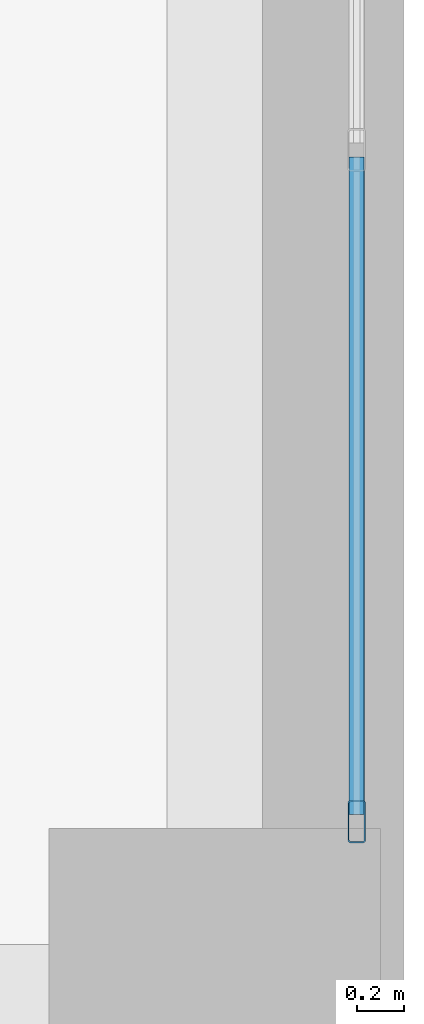
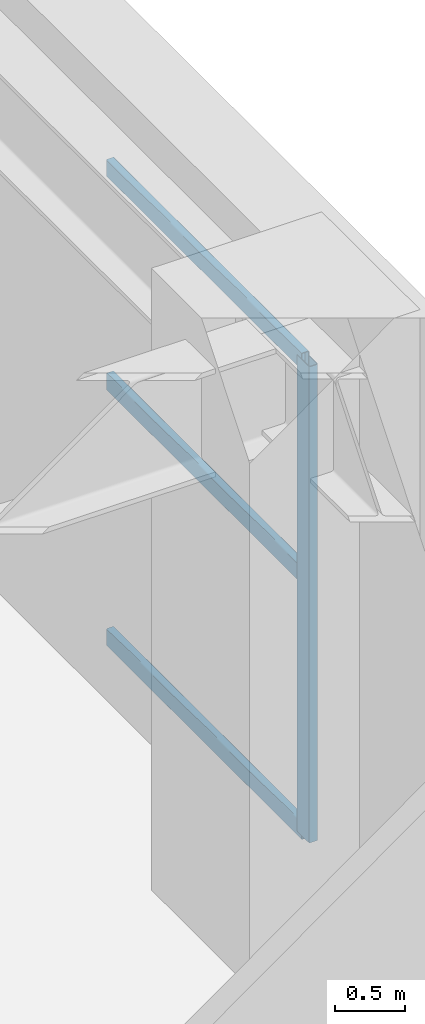
# One storey, part 10 of 25: 4 members, 1 element without a shape of its own.
"""IFC4 building model written with IfcOpenShell, lengths in metres."""

from ifc_helpers import new_model, si_unit, direction, frame, origin, origin_2d, place, context, subcontext, project, spatial, hollow_rectangle, extrude, material, layer, layer_set, material_profile, profile_set, type_object, element, aggregate, save


model = new_model("IFC4")

# Units and contexts
model_context = context("Model", 3, precision=1e-05, world=origin(), true_north=direction((0.0, 1.0)))
body_context = subcontext(model_context, "Body", "Model", "MODEL_VIEW")
ifc_project = project(units=[si_unit("LENGTHUNIT", "METRE"), si_unit("AREAUNIT", "SQUARE_METRE"), si_unit("VOLUMEUNIT", "CUBIC_METRE"), si_unit("PLANEANGLEUNIT", "RADIAN"), si_unit("MASSUNIT", "GRAM", prefix="KILO")], contexts=[model_context])

# Site, building, storey
site_placement = place(None, origin())
site = spatial("IfcSite", under=ifc_project, at=site_placement, CompositionType="ELEMENT")
building_placement = place(site_placement, origin())
building = spatial("IfcBuilding", under=site, at=building_placement, Name="Soratama Intermodal Tower", CompositionType="ELEMENT")
storey_placement = place(building_placement, frame((0.0, 0.0, -5.39990234375)))
storey = spatial("IfcBuildingStorey", under=building, at=storey_placement, Name="B1", CompositionType="ELEMENT", Elevation=-5.39990234375)

# Curtain wall, members
ifc_material_1 = material(Name="Double-glazed aluminium curtain wall", Category="aluminium")
ifc_layer = layer(ifc_material_1, 0.159912109375)
ifc_layer_set = layer_set([ifc_layer], Name="Double-glazed aluminium curtain wall")
curtain_wall_type = type_object("IfcCurtainWallType", Name="CW-SYS-1", PredefinedType="NOTDEFINED", material=ifc_layer_set)
curtain_wall_placement = place(storey_placement, origin())
curtain_wall = element("IfcCurtainWall", 1, at=curtain_wall_placement, inside=storey, type_object=curtain_wall_type, Name="B1 Station Curtain Wall E1", PredefinedType="NOTDEFINED")
ifc_material_2 = material(Name="Anodised aluminium AA 6063-T6", Category="aluminium")
ifc_material_profile_1 = material_profile(ifc_material_2, hollow_rectangle(XDim=0.074951171875, YDim=0.179931640625, WallThickness=0.006103515625, InnerFilletRadius=0.006103515625, OuterFilletRadius=0.011962890625, at=origin_2d()), Name="CWM180X75X6")
ifc_profile_set_1 = profile_set([ifc_material_profile_1], Name="Anodised aluminium AA 6063-T6")
member_type_1 = type_object("IfcMemberType", Name="MT-CWM-1", PredefinedType="MULLION", material=ifc_profile_set_1)
member_1_placement = place(storey_placement, frame((83.800048828125, 15.72998046875, 0.0), z_axis=(0.0, 0.0, 1.0), x_axis=(-1.0, 0.0, 0.0)))
member_1 = element("IfcMember", 2, at=member_1_placement, type_object=member_type_1, Name="CW-1 mullion 1", PredefinedType="MULLION", context=body_context, shape_type="SweptSolid", body=[
    extrude(hollow_rectangle(XDim=0.074951171875, YDim=0.179931640625, WallThickness=0.006103515625, InnerFilletRadius=0.006103515625, OuterFilletRadius=0.011962890625, at=origin_2d()), origin(), (0.0, 0.0, 1.0), 4.135986328125),
])
ifc_material_3 = material(Name="Anodised aluminium AA 6063-T6", Category="aluminium")
ifc_material_profile_2 = material_profile(ifc_material_3, hollow_rectangle(XDim=0.06494140625, YDim=0.14990234375, WallThickness=0.0048828125, InnerFilletRadius=0.0048828125, OuterFilletRadius=0.010009765625, at=origin_2d()), Name="CWT150X65X5")
ifc_profile_set_2 = profile_set([ifc_material_profile_2], Name="Anodised aluminium AA 6063-T6")
member_type_2 = type_object("IfcMemberType", Name="TT-CWT-1", PredefinedType="USERDEFINED", material=ifc_profile_set_2)
member_2_placement = place(storey_placement, frame((83.800048828125, 15.760009765625, 0.02978515625), z_axis=(0.0, 1.0, 0.0), x_axis=(-1.0, 0.0, 0.0)))
member_2 = element("IfcMember", 3, at=member_2_placement, type_object=member_type_2, Name="CW-1 transom 1.1", ObjectType="TRANSOM", PredefinedType="USERDEFINED", context=body_context, shape_type="SweptSolid", body=[
    extrude(hollow_rectangle(XDim=0.06494140625, YDim=0.14990234375, WallThickness=0.0048828125, InnerFilletRadius=0.0048828125, OuterFilletRadius=0.010009765625, at=origin_2d()), origin(), (0.0, 0.0, 1.0), 2.776611328125),
])
member_3_placement = place(storey_placement, frame((83.800048828125, 15.760009765625, 2.25), z_axis=(0.0, 1.0, 0.0), x_axis=(-1.0, 0.0, 0.0)))
member_3 = element("IfcMember", 4, at=member_3_placement, type_object=member_type_2, Name="CW-1 transom 1.2", ObjectType="TRANSOM", PredefinedType="USERDEFINED", context=body_context, shape_type="SweptSolid", body=[
    extrude(hollow_rectangle(XDim=0.06494140625, YDim=0.14990234375, WallThickness=0.0048828125, InnerFilletRadius=0.0048828125, OuterFilletRadius=0.010009765625, at=origin_2d()), origin(), (0.0, 0.0, 1.0), 2.776611328125),
])
member_4_placement = place(storey_placement, frame((83.800048828125, 15.760009765625, 4.10595703125), z_axis=(0.0, 1.0, 0.0), x_axis=(-1.0, 0.0, 0.0)))
member_4 = element("IfcMember", 5, at=member_4_placement, type_object=member_type_2, Name="CW-1 transom 1.3", ObjectType="TRANSOM", PredefinedType="USERDEFINED", context=body_context, shape_type="SweptSolid", body=[
    extrude(hollow_rectangle(XDim=0.06494140625, YDim=0.14990234375, WallThickness=0.0048828125, InnerFilletRadius=0.0048828125, OuterFilletRadius=0.010009765625, at=origin_2d()), origin(), (0.0, 0.0, 1.0), 2.776611328125),
])
aggregate(curtain_wall, [member_1, member_2, member_3, member_4])

save(model, "model.ifc")
